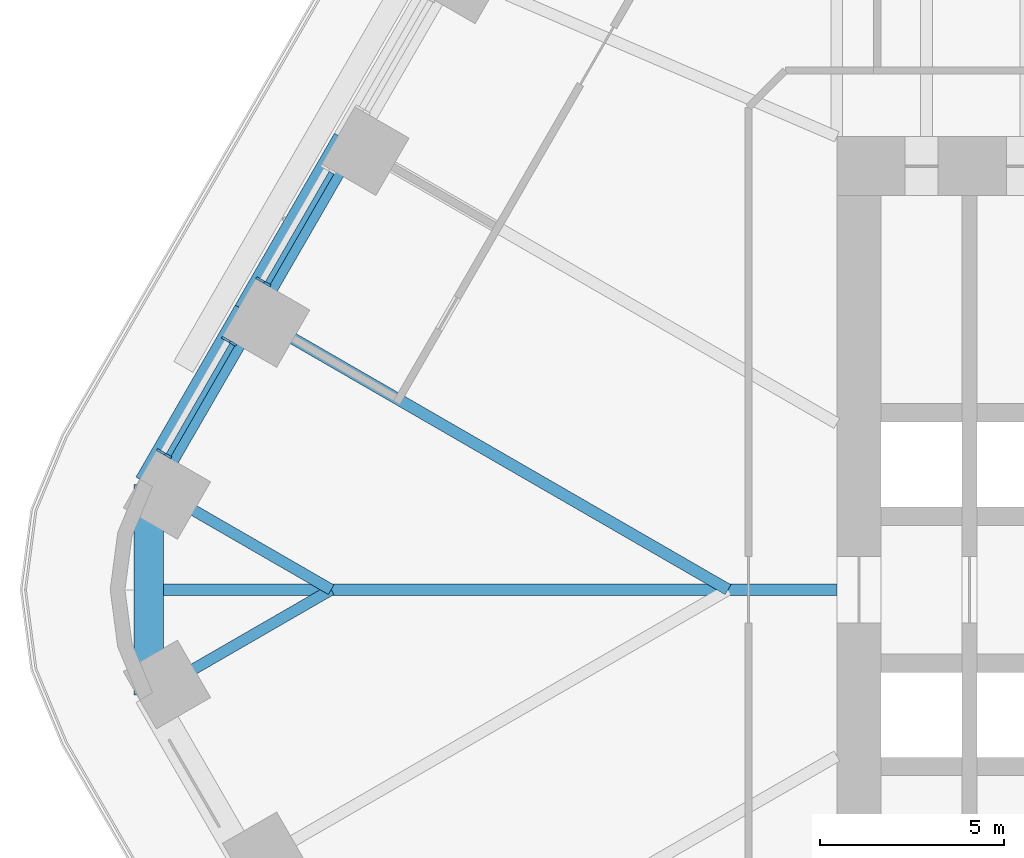
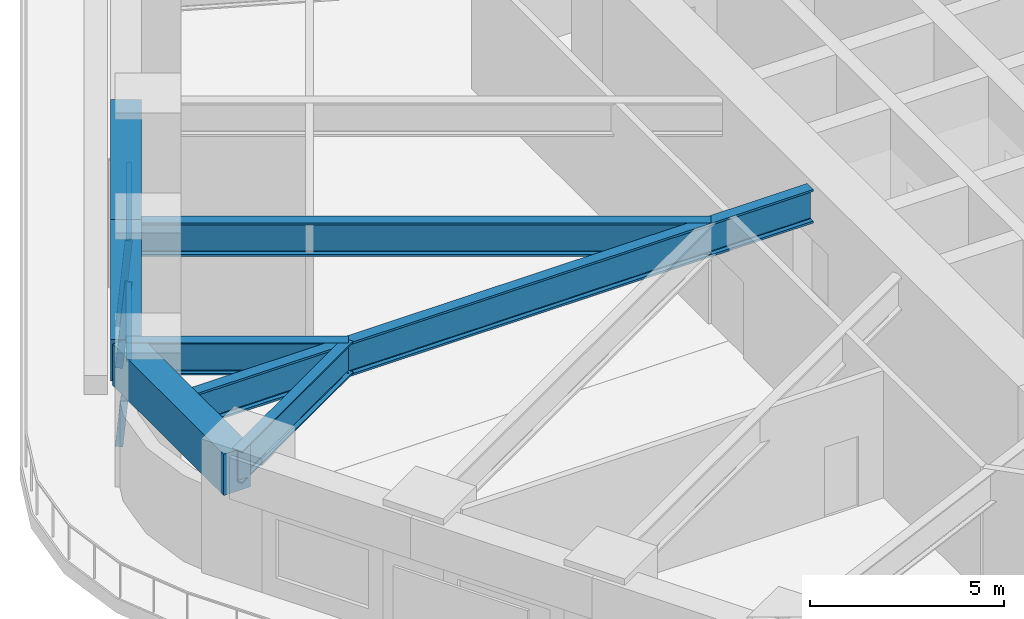
# One storey, part 6 of 24: 7 beams, 5 members, 2 elements without a shape of their own.
"""IFC4 building model written with IfcOpenShell, lengths in metres."""

from ifc_helpers import new_model, si_unit, direction, frame, origin, origin_2d, place, context, subcontext, project, spatial, rectangle, i_section, extrude, material, material_profile, profile_set, type_object, element, aggregate, save


model = new_model("IFC4")

# Units and contexts
model_context = context("Model", 3, precision=1e-05, world=origin(), true_north=direction((0.0, 1.0)))
body_context = subcontext(model_context, "Body", "Model", "MODEL_VIEW")
ifc_project = project(units=[si_unit("LENGTHUNIT", "METRE"), si_unit("AREAUNIT", "SQUARE_METRE"), si_unit("VOLUMEUNIT", "CUBIC_METRE"), si_unit("PLANEANGLEUNIT", "RADIAN"), si_unit("MASSUNIT", "GRAM", prefix="KILO")], contexts=[model_context])

# Site, building, storey
site_placement = place(None, origin())
site = spatial("IfcSite", under=ifc_project, at=site_placement, CompositionType="ELEMENT")
building_placement = place(site_placement, origin())
building = spatial("IfcBuilding", under=site, at=building_placement, Name="Tarfa Lantern Tower", CompositionType="ELEMENT")
storey_placement = place(building_placement, frame((0.0, 0.0, 90.699951171875)))
storey = spatial("IfcBuildingStorey", under=building, at=storey_placement, Name="L20", CompositionType="ELEMENT", Elevation=90.699951171875)

# Curtain wall, member
ifc_material_1 = material(Name="Aluminium framed curtain wall", Category="aluminium")
curtain_wall_type = type_object("IfcCurtainWallType", Name="CW1 CANTED GLAZING LOW ZONE 2700", PredefinedType="USERDEFINED", material=ifc_material_1)
curtain_wall_1_placement = place(storey_placement, origin())
curtain_wall_1 = element("IfcCurtainWall", 1, at=curtain_wall_1_placement, inside=storey, type_object=curtain_wall_type, Name="CW1 NW L20", ObjectType="CURTAIN WALL", PredefinedType="USERDEFINED")
ifc_material_2 = material(Name="Aluminium mullion", Category="aluminium")
ifc_material_profile_1 = material_profile(ifc_material_2, rectangle(XDim=0.06494140625, YDim=0.199951171875, at=origin_2d()), Name="AL MULLION 65x200")
ifc_profile_set_1 = profile_set([ifc_material_profile_1], Name="Aluminium mullion")
member_type_1 = type_object("IfcMemberType", Name="CWM1 MULLION 65x200", PredefinedType="MULLION", material=ifc_profile_set_1)
member_1_placement = place(storey_placement, frame((-34.280517578125, 8.42431640625, 0.0), z_axis=(0.079774955866, -0.04610020023, 0.995746317068), x_axis=(0.500342721131, 0.865827443207, 0.0)))
member_1 = element("IfcMember", 2, at=member_1_placement, type_object=member_type_1, Name="CW1 mullion 2", PredefinedType="MULLION", context=body_context, shape_type="SweptSolid", body=[
    extrude(rectangle(XDim=0.06494140625, YDim=0.199951171875, at=origin_2d()), origin(), (0.0, 0.0, 1.0), 2.71142578125),
])

# Curtain wall, members
curtain_wall_2_placement = place(storey_placement, origin())
curtain_wall_2 = element("IfcCurtainWall", 3, at=curtain_wall_2_placement, inside=storey, type_object=curtain_wall_type, Name="CW1 NW L20", ObjectType="CURTAIN WALL", PredefinedType="USERDEFINED")
member_2_placement = place(storey_placement, frame((-35.213134765625, 6.80908203125, 0.0), z_axis=(0.07986442134, -0.046099868913, 0.99573916077), x_axis=(0.499919672301, 0.866071776036, 0.0)))
member_2 = element("IfcMember", 4, at=member_2_placement, type_object=member_type_1, Name="CW1 mullion 1", PredefinedType="MULLION", context=body_context, shape_type="SweptSolid", body=[
    extrude(rectangle(XDim=0.06494140625, YDim=0.199951171875, at=origin_2d()), origin(), (0.0, 0.0, 1.0), 2.71142578125),
])
member_3_placement = place(storey_placement, frame((-36.974853515625, 3.757568359375, 0.0), z_axis=(0.07986442134, -0.046099868913, 0.99573916077), x_axis=(0.499919672301, 0.866071776036, 0.0)))
member_3 = element("IfcMember", 5, at=member_3_placement, type_object=member_type_1, Name="CW1 mullion 2", PredefinedType="MULLION", context=body_context, shape_type="SweptSolid", body=[
    extrude(rectangle(XDim=0.06494140625, YDim=0.199951171875, at=origin_2d()), origin(), (0.0, 0.0, 1.0), 2.71142578125),
])

# Member
ifc_material_3 = material(Name="Aluminium transom", Category="aluminium")
ifc_material_profile_2 = material_profile(ifc_material_3, rectangle(XDim=0.14990234375, YDim=0.06494140625, at=origin_2d()), Name="AL TRANSOM 150x65")
ifc_profile_set_2 = profile_set([ifc_material_profile_2], Name="Aluminium transom")
member_type_2 = type_object("IfcMemberType", Name="CWT1 TRANSOM 150x65", PredefinedType="USERDEFINED", material=ifc_profile_set_2)
member_4_placement = place(storey_placement, frame((-32.321044921875, 11.32421875, 2.66748046875), z_axis=(-0.500025915891, -0.866010440721, 0.0), x_axis=(0.866010440721, -0.500025915891, 0.0)))
member_4 = element("IfcMember", 6, at=member_4_placement, type_object=member_type_2, Name="CW1 transom 1.2", ObjectType="TRANSOM", PredefinedType="USERDEFINED", context=body_context, shape_type="SweptSolid", body=[
    extrude(rectangle(XDim=0.14990234375, YDim=0.06494140625, at=origin_2d()), origin(), (0.0, 0.0, 1.0), 3.458740234375),
])

aggregate(curtain_wall_1, [member_1, member_4])

member_5_placement = place(storey_placement, frame((-35.015380859375, 6.657470703125, 2.66748046875), z_axis=(-0.500025915891, -0.866010440721, 0.0), x_axis=(0.866010440721, -0.500025915891, 0.0)))
member_5 = element("IfcMember", 7, at=member_5_placement, type_object=member_type_2, Name="CW1 transom 1.2", ObjectType="TRANSOM", PredefinedType="USERDEFINED", context=body_context, shape_type="SweptSolid", body=[
    extrude(rectangle(XDim=0.14990234375, YDim=0.06494140625, at=origin_2d()), origin(), (0.0, 0.0, 1.0), 3.458740234375),
])

aggregate(curtain_wall_2, [member_2, member_3, member_5])

# Beams
ifc_material_4 = material(Name="Concrete C80/95", Category="concrete")
ifc_material_profile_3 = material_profile(ifc_material_4, rectangle(XDim=0.800048828125, YDim=1.300048828125, at=origin_2d()), Name="RC 800x1300")
ifc_profile_set_3 = profile_set([ifc_material_profile_3], Name="Concrete C80/95")
beam_type_1 = type_object("IfcBeamType", Name="EB1 RC 800x1300", PredefinedType="SPANDREL", material=ifc_profile_set_3)
beam_1_placement = place(storey_placement, frame((-31.896728515625, 12.193359375, 3.35009765625), z_axis=(-0.499998287579, -0.866026392449, 0.0), x_axis=(0.866026392449, -0.499998287579, 0.0)))
element("IfcBeam", 8, at=beam_1_placement, inside=storey, type_object=beam_type_1, Name="Edge beam NW4", PredefinedType="SPANDREL", context=body_context, shape_type="SweptSolid", body=[
    extrude(rectangle(XDim=0.800048828125, YDim=1.300048828125, at=origin_2d()), origin(), (0.0, 0.0, 1.0), 5.388671875),
])
beam_2_placement = place(storey_placement, frame((-34.591064453125, 7.526611328125, 3.35009765625), z_axis=(-0.500017906299, -0.866015065331, 0.0), x_axis=(0.866015065331, -0.500017906299, 0.0)))
element("IfcBeam", 9, at=beam_2_placement, inside=storey, type_object=beam_type_1, Name="Edge beam NW5", PredefinedType="SPANDREL", context=body_context, shape_type="SweptSolid", body=[
    extrude(rectangle(XDim=0.800048828125, YDim=1.300048828125, at=origin_2d()), origin(), (0.0, 0.0, 1.0), 5.388427734375),
])
beam_3_placement = place(storey_placement, frame((-37.285400390625, 2.860107421875, 3.35009765625), z_axis=(0.0, -1.0, 0.0), x_axis=(1.0, 0.0, 0.0)))
element("IfcBeam", 10, at=beam_3_placement, inside=storey, type_object=beam_type_1, Name="Edge beam NW6", PredefinedType="SPANDREL", context=body_context, shape_type="SweptSolid", body=[
    extrude(rectangle(XDim=0.800048828125, YDim=1.300048828125, at=origin_2d()), origin(), (0.0, 0.0, 1.0), 5.72021484375),
])
ifc_material_5 = material(Name="Steel S460M", Category="steel")
ifc_material_profile_4 = material_profile(ifc_material_5, i_section(OverallWidth=0.302001953125, OverallDepth=1.008056640625, WebThickness=0.02099609375, FlangeThickness=0.0400390625, FilletRadius=0.030029296875, at=origin_2d()), Name="UB1016x305x349")
ifc_profile_set_4 = profile_set([ifc_material_profile_4], Name="Steel S460M")
beam_type_2 = type_object("IfcBeamType", Name="UB1016x305x349", PredefinedType="BEAM", material=ifc_profile_set_4)
for number, where, z_axis, x_axis, name in (
    (11, (-37.285400390625, 2.860107421875, 3.49609375), (0.866025668288, -0.499999541866, 0.0), (0.499999541866, 0.866025668288, 0.0), "Floor beam NW6"),
    (12, (-37.285400390625, -2.860107421875, 3.49609375), (0.866025668288, 0.499999541866, 0.0), (-0.499999541866, 0.866025668288, 0.0), "Floor beam SW0"),
):
    element("IfcBeam", number, at=place(storey_placement, frame(where, z_axis=z_axis, x_axis=x_axis)), inside=storey, type_object=beam_type_2, Name=name, PredefinedType="BEAM", context=body_context, shape_type="SweptSolid", body=[
        extrude(i_section(OverallWidth=0.302001953125, OverallDepth=1.008056640625, WebThickness=0.02099609375, FlangeThickness=0.0400390625, FilletRadius=0.030029296875, at=origin_2d()), origin(), (0.0, 0.0, 1.0), 5.72021484375),
    ])
ifc_material_profile_5 = material_profile(ifc_material_5, i_section(OverallWidth=0.314208984375, OverallDepth=1.055908203125, WebThickness=0.035888671875, FlangeThickness=0.06396484375, FilletRadius=0.030029296875, at=origin_2d()), Name="UB1016x305x584")
ifc_profile_set_5 = profile_set([ifc_material_profile_5], Name="Steel S460M")
beam_type_3 = type_object("IfcBeamType", Name="UB1016x305x584", PredefinedType="BEAM", material=ifc_profile_set_5)
beam_4_placement = place(storey_placement, frame((-18.60009765625, 0.0, 3.47216796875), z_axis=(-1.0, 0.0, 0.0), x_axis=(0.0, -1.0, 0.0)))
element("IfcBeam", 13, at=beam_4_placement, inside=storey, type_object=beam_type_3, Name="Hip girder W", PredefinedType="BEAM", context=body_context, shape_type="SweptSolid", body=[
    extrude(i_section(OverallWidth=0.314208984375, OverallDepth=1.055908203125, WebThickness=0.035888671875, FlangeThickness=0.06396484375, FilletRadius=0.030029296875, at=origin_2d()), origin(), (0.0, 0.0, 1.0), 18.685302734375),
])
beam_5_placement = place(storey_placement, frame((-34.591064453125, 7.526611328125, 3.47216796875), z_axis=(0.86602785945, -0.499995746638, 0.0), x_axis=(0.499995746638, 0.86602785945, 0.0)))
element("IfcBeam", 14, at=beam_5_placement, inside=storey, type_object=beam_type_3, Name="Floor beam NW5", PredefinedType="BEAM", context=body_context, shape_type="SweptSolid", body=[
    extrude(i_section(OverallWidth=0.314208984375, OverallDepth=1.055908203125, WebThickness=0.035888671875, FlangeThickness=0.06396484375, FilletRadius=0.030029296875, at=origin_2d()), origin(), (0.0, 0.0, 1.0), 15.053466796875),
])

save(model, "model.ifc")
